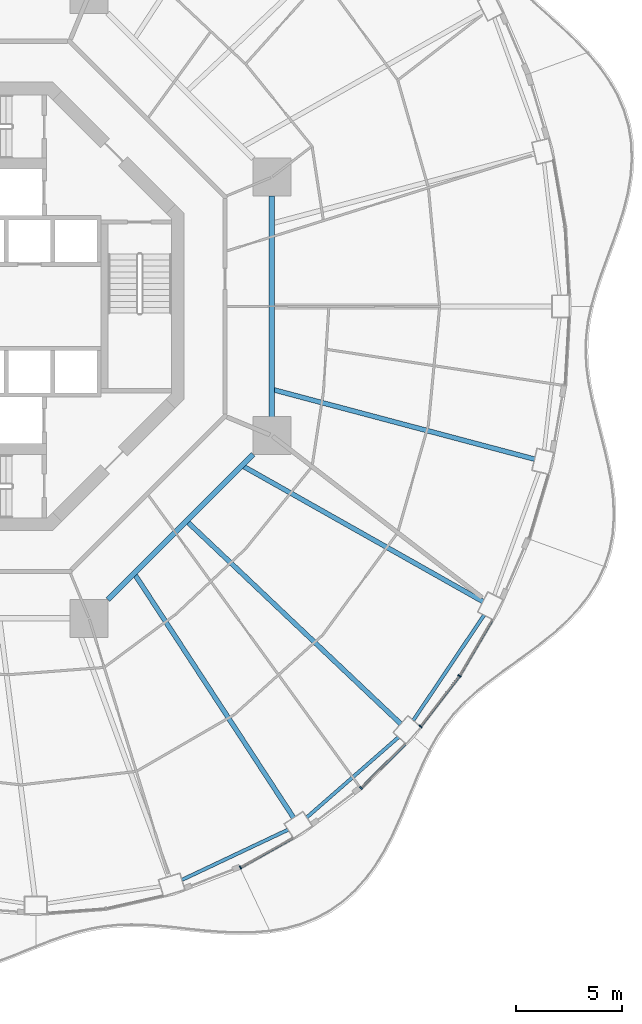
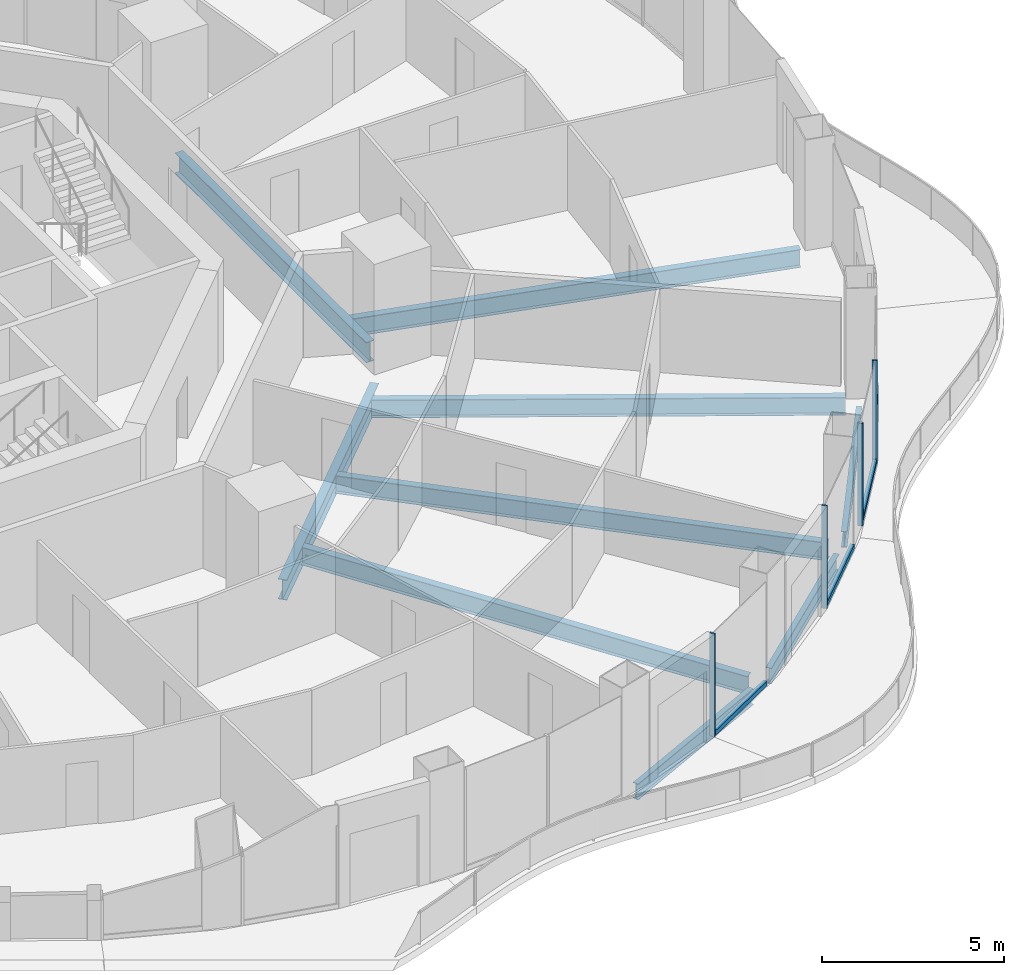
# One storey, part 4 of 19: 9 beams, 8 members, 4 elements without a shape of their own.
"""IFC4 building model written with IfcOpenShell, lengths in metres."""

from ifc_helpers import new_model, si_unit, direction, frame, origin, origin_2d, place, context, subcontext, project, spatial, rectangle, i_section, extrude, material, layer, layer_set, material_profile, profile_set, type_object, element, aggregate, save


model = new_model("IFC4")

# Units and contexts
model_context = context("Model", 3, precision=1e-05, world=origin(), true_north=direction((0.0, 1.0)))
body_context = subcontext(model_context, "Body", "Model", "MODEL_VIEW")
ifc_project = project(units=[si_unit("LENGTHUNIT", "METRE"), si_unit("AREAUNIT", "SQUARE_METRE"), si_unit("VOLUMEUNIT", "CUBIC_METRE"), si_unit("PLANEANGLEUNIT", "RADIAN"), si_unit("MASSUNIT", "GRAM", prefix="KILO")], contexts=[model_context])

# Site, building, storey
site_placement = place(None, origin())
site = spatial("IfcSite", under=ifc_project, at=site_placement, CompositionType="ELEMENT")
building_placement = place(site_placement, origin())
building = spatial("IfcBuilding", under=site, at=building_placement, Name="Nagisa Residences", CompositionType="ELEMENT")
storey_placement = place(building_placement, frame((0.0, 0.0, 169.60009765625)))
storey = spatial("IfcBuildingStorey", under=building, at=storey_placement, Name="L42", CompositionType="ELEMENT", Elevation=169.60009765625)

# Curtain wall, member
ifc_material_1 = material(Name="Concrete-coloured aluminium curtain wall system", Category="concrete")
ifc_layer = layer(ifc_material_1, 0.159912109375)
ifc_layer_set = layer_set([ifc_layer], Name="CW1 CURTAIN WALL")
curtain_wall_type = type_object("IfcCurtainWallType", Name="CW1 CURTAIN WALL", PredefinedType="NOTDEFINED", material=ifc_layer_set)
curtain_wall_1_placement = place(storey_placement, origin())
curtain_wall_1 = element("IfcCurtainWall", 1, at=curtain_wall_1_placement, inside=storey, type_object=curtain_wall_type, Name="cw:CW1:L42:39", PredefinedType="NOTDEFINED")
ifc_material_2 = material(Name="Concrete-coloured aluminium", Category="concrete")
ifc_material_profile_1 = material_profile(ifc_material_2, rectangle(XDim=0.159912109375, YDim=0.06005859375, at=origin_2d()), Name="CW1 MULLION 160x60")
ifc_profile_set_1 = profile_set([ifc_material_profile_1], Name="Concrete-coloured aluminium")
member_type_1 = type_object("IfcMemberType", Name="CW1 MULLION 160x60", PredefinedType="MULLION", material=ifc_profile_set_1)
member_1_placement = place(storey_placement, frame((13.297607421875, -26.592529296875, 0.0), z_axis=(0.0, 0.0, 1.0), x_axis=(-0.489376918501, 0.872072377523, 0.0)))
member_1 = element("IfcMember", 2, at=member_1_placement, type_object=member_type_1, Name="CW1 mullion", PredefinedType="MULLION", context=body_context, shape_type="SweptSolid", body=[
    extrude(rectangle(XDim=0.159912109375, YDim=0.06005859375, at=origin_2d()), origin(), (0.0, 0.0, 1.0), 3.43994140625),
])

curtain_wall_2_placement = place(storey_placement, origin())
curtain_wall_2 = element("IfcCurtainWall", 3, at=curtain_wall_2_placement, inside=storey, type_object=curtain_wall_type, Name="cw:CW1:L42:41", PredefinedType="NOTDEFINED")
member_2_placement = place(storey_placement, frame((19.011962890625, -22.830322265625, 0.0), z_axis=(0.0, 0.0, 1.0), x_axis=(-0.706376885714, 0.707835924016, 0.0)))
member_2 = element("IfcMember", 4, at=member_2_placement, type_object=member_type_1, Name="CW1 mullion", PredefinedType="MULLION", context=body_context, shape_type="SweptSolid", body=[
    extrude(rectangle(XDim=0.159912109375, YDim=0.06005859375, at=origin_2d()), origin(), (0.0, 0.0, 1.0), 3.43994140625),
])

curtain_wall_3_placement = place(storey_placement, origin())
curtain_wall_3 = element("IfcCurtainWall", 5, at=curtain_wall_3_placement, inside=storey, type_object=curtain_wall_type, Name="cw:CW1:L42:42", PredefinedType="NOTDEFINED")
member_3_placement = place(storey_placement, frame((21.83349609375, -19.909423828125, 0.0), z_axis=(0.0, 0.0, 1.0), x_axis=(-0.792070340816, 0.610429828235, 0.0)))
member_3 = element("IfcMember", 6, at=member_3_placement, type_object=member_type_1, Name="CW1 mullion", PredefinedType="MULLION", context=body_context, shape_type="SweptSolid", body=[
    extrude(rectangle(XDim=0.159912109375, YDim=0.06005859375, at=origin_2d()), origin(), (0.0, 0.0, 1.0), 3.43994140625),
])

curtain_wall_4_placement = place(storey_placement, origin())
curtain_wall_4 = element("IfcCurtainWall", 7, at=curtain_wall_4_placement, inside=storey, type_object=curtain_wall_type, Name="cw:CW1:L42:43", PredefinedType="NOTDEFINED")
member_4_placement = place(storey_placement, frame((23.677490234375, -17.51171875, 0.0), z_axis=(0.0, 0.0, 1.0), x_axis=(-0.862328898214, 0.506348567002, 0.0)))
member_4 = element("IfcMember", 8, at=member_4_placement, type_object=member_type_1, Name="CW1 mullion", PredefinedType="MULLION", context=body_context, shape_type="SweptSolid", body=[
    extrude(rectangle(XDim=0.159912109375, YDim=0.06005859375, at=origin_2d()), origin(), (0.0, 0.0, 1.0), 3.43994140625),
])

# Member
ifc_material_3 = material(Name="Concrete-coloured aluminium", Category="concrete")
ifc_material_profile_2 = material_profile(ifc_material_3, rectangle(XDim=0.1201171875, YDim=0.14990234375, at=origin_2d()), Name="CW1 TRANSOM 120x150")
ifc_profile_set_2 = profile_set([ifc_material_profile_2], Name="Concrete-coloured aluminium")
member_type_2 = type_object("IfcMemberType", Name="CW1 TRANSOM 120x150", PredefinedType="USERDEFINED", material=ifc_profile_set_2)
member_5_placement = place(storey_placement, frame((13.271484375, -26.607177734375, 0.074951171875), z_axis=(0.872078262455, 0.489366431371, 0.0), x_axis=(-0.489366431371, 0.872078262455, 0.0)))
member_5 = element("IfcMember", 9, at=member_5_placement, type_object=member_type_2, Name="CW1 transom", ObjectType="TRANSOM", PredefinedType="USERDEFINED", context=body_context, shape_type="SweptSolid", body=[
    extrude(rectangle(XDim=0.1201171875, YDim=0.14990234375, at=origin_2d()), origin(), (0.0, 0.0, 1.0), 2.863525390625),
])

aggregate(curtain_wall_1, [member_1, member_5])

member_6_placement = place(storey_placement, frame((18.99072265625, -22.8515625, 0.074951171875), z_axis=(0.707803821372, 0.706409053206, 0.0), x_axis=(-0.706409053206, 0.707803821372, 0.0)))
member_6 = element("IfcMember", 10, at=member_6_placement, type_object=member_type_2, Name="CW1 transom", ObjectType="TRANSOM", PredefinedType="USERDEFINED", context=body_context, shape_type="SweptSolid", body=[
    extrude(rectangle(XDim=0.1201171875, YDim=0.14990234375, at=origin_2d()), origin(), (0.0, 0.0, 1.0), 2.9755859375),
])

aggregate(curtain_wall_2, [member_2, member_6])

member_7_placement = place(storey_placement, frame((21.815185546875, -19.933349609375, 0.074951171875), z_axis=(0.610398538814, 0.792094453846, 0.0), x_axis=(-0.792094453846, 0.610398538814, 0.0)))
member_7 = element("IfcMember", 11, at=member_7_placement, type_object=member_type_2, Name="CW1 transom", ObjectType="TRANSOM", PredefinedType="USERDEFINED", context=body_context, shape_type="SweptSolid", body=[
    extrude(rectangle(XDim=0.1201171875, YDim=0.14990234375, at=origin_2d()), origin(), (0.0, 0.0, 1.0), 3.035400390625),
])

aggregate(curtain_wall_3, [member_3, member_7])

member_8_placement = place(storey_placement, frame((23.662353515625, -17.53759765625, 0.074951171875), z_axis=(0.506367803691, 0.862317602386, 0.0), x_axis=(-0.862317602386, 0.506367803691, 0.0)))
member_8 = element("IfcMember", 12, at=member_8_placement, type_object=member_type_2, Name="CW1 transom", ObjectType="TRANSOM", PredefinedType="USERDEFINED", context=body_context, shape_type="SweptSolid", body=[
    extrude(rectangle(XDim=0.1201171875, YDim=0.14990234375, at=origin_2d()), origin(), (0.0, 0.0, 1.0), 3.092041015625),
])

aggregate(curtain_wall_4, [member_4, member_8])

# Beams
ifc_material_4 = material(Name="Steel ASTM A572 Gr 50", Category="steel")
ifc_material_profile_3 = material_profile(ifc_material_4, i_section(OverallWidth=0.25390625, OverallDepth=0.68408203125, WebThickness=0.012451171875, FlangeThickness=0.018798828125, at=origin_2d()), Name="W690x140")
ifc_profile_set_3 = profile_set([ifc_material_profile_3], Name="Steel ASTM A572 Gr 50")
beam_type_1 = type_object("IfcBeamType", Name="Inner ring beam W690x140", PredefinedType="BEAM", material=ifc_profile_set_3)
beam_1_placement = place(storey_placement, frame((7.0087890625, -13.896240234375, -0.60205078125), z_axis=(0.707106781187, 0.707106781187, 0.0), x_axis=(-0.707106781187, 0.707106781187, 0.0)))
element("IfcBeam", 13, at=beam_1_placement, inside=storey, type_object=beam_type_1, Name="beam:L42:ib7", PredefinedType="BEAM", context=body_context, shape_type="SweptSolid", body=[
    extrude(i_section(OverallWidth=0.25390625, OverallDepth=0.68408203125, WebThickness=0.012451171875, FlangeThickness=0.018798828125, at=origin_2d()), origin(), (0.0, 0.0, 1.0), 9.740234375),
])
beam_2_placement = place(storey_placement, frame((14.781982421875, -5.242919921875, -0.60205078125), z_axis=(0.0, 1.0, 0.0), x_axis=(-1.0, 0.0, 0.0)))
element("IfcBeam", 14, at=beam_2_placement, inside=storey, type_object=beam_type_1, Name="beam:L42:ib8", PredefinedType="BEAM", context=body_context, shape_type="SweptSolid", body=[
    extrude(i_section(OverallWidth=0.25390625, OverallDepth=0.68408203125, WebThickness=0.012451171875, FlangeThickness=0.018798828125, at=origin_2d()), origin(), (0.0, 0.0, 1.0), 10.48583984375),
])
ifc_material_5 = material(Name="Steel ASTM A572 Gr 50", Category="steel")
ifc_material_profile_4 = material_profile(ifc_material_5, i_section(OverallWidth=0.166015625, OverallDepth=0.534912109375, WebThickness=0.01025390625, FlangeThickness=0.0166015625, at=origin_2d()), Name="W530x85")
ifc_profile_set_4 = profile_set([ifc_material_profile_4], Name="Steel ASTM A572 Gr 50")
beam_type_2 = type_object("IfcBeamType", Name="Perimeter ring beam W530x85", PredefinedType="BEAM", material=ifc_profile_set_4)
beam_3_placement = place(storey_placement, frame((10.522705078125, -27.17919921875, -0.527587890625), z_axis=(0.904157325884, 0.427199637232, 0.0), x_axis=(-0.427199637232, 0.904157325884, 0.0)))
element("IfcBeam", 15, at=beam_3_placement, inside=storey, type_object=beam_type_2, Name="beam:L42:pb20", PredefinedType="BEAM", context=body_context, shape_type="SweptSolid", body=[
    extrude(i_section(OverallWidth=0.166015625, OverallDepth=0.534912109375, WebThickness=0.01025390625, FlangeThickness=0.0166015625, at=origin_2d()), origin(), (0.0, 0.0, 1.0), 5.56396484375),
])
beam_4_placement = place(storey_placement, frame((16.440185546875, -24.220947265625, -0.527587890625), z_axis=(0.752461486776, 0.658636250838, 0.0), x_axis=(-0.658636250838, 0.752461486776, 0.0)))
element("IfcBeam", 16, at=beam_4_placement, inside=storey, type_object=beam_type_2, Name="beam:L42:pb21", PredefinedType="BEAM", context=body_context, shape_type="SweptSolid", body=[
    extrude(i_section(OverallWidth=0.166015625, OverallDepth=0.534912109375, WebThickness=0.01025390625, FlangeThickness=0.0166015625, at=origin_2d()), origin(), (0.0, 0.0, 1.0), 5.776611328125),
])
beam_5_placement = place(storey_placement, frame((21.487548828125, -19.62060546875, -0.527587890625), z_axis=(0.558152301307, 0.829738518177, 0.0), x_axis=(-0.829738518177, 0.558152301307, 0.0)))
element("IfcBeam", 17, at=beam_5_placement, inside=storey, type_object=beam_type_2, Name="beam:L42:pb22", PredefinedType="BEAM", context=body_context, shape_type="SweptSolid", body=[
    extrude(i_section(OverallWidth=0.166015625, OverallDepth=0.534912109375, WebThickness=0.01025390625, FlangeThickness=0.0166015625, at=origin_2d()), origin(), (0.0, 0.0, 1.0), 6.013916015625),
])
ifc_material_6 = material(Name="Steel ASTM A572 Gr 50", Category="steel")
ifc_material_profile_5 = material_profile(ifc_material_6, i_section(OverallWidth=0.22802734375, OverallDepth=0.60302734375, WebThickness=0.010498046875, FlangeThickness=0.014892578125, at=origin_2d()), Name="W610x101")
ifc_profile_set_5 = profile_set([ifc_material_profile_5], Name="Steel ASTM A572 Gr 50")
beam_type_3 = type_object("IfcBeamType", Name="Radial beam W610x101", PredefinedType="BEAM", material=ifc_profile_set_5)
beam_6_placement = place(storey_placement, frame((15.816162109375, -24.234375, -0.5615234375), z_axis=(-0.546541244511, 0.837432187135, 0.0), x_axis=(-0.837432187135, -0.546541244511, 0.0)))
element("IfcBeam", 18, at=beam_6_placement, inside=storey, type_object=beam_type_3, Name="beam:L42:rb21", PredefinedType="BEAM", context=body_context, shape_type="SweptSolid", body=[
    extrude(i_section(OverallWidth=0.22802734375, OverallDepth=0.60302734375, WebThickness=0.010498046875, FlangeThickness=0.014892578125, at=origin_2d()), origin(), (0.0, 0.0, 1.0), 13.72412109375),
])
beam_7_placement = place(storey_placement, frame((20.89501953125, -19.785400390625, -0.5615234375), z_axis=(-0.726119962477, 0.687568033064, 0.0), x_axis=(-0.687568033064, -0.726119962477, 0.0)))
element("IfcBeam", 19, at=beam_7_placement, inside=storey, type_object=beam_type_3, Name="beam:L42:rb22", PredefinedType="BEAM", context=body_context, shape_type="SweptSolid", body=[
    extrude(i_section(OverallWidth=0.22802734375, OverallDepth=0.60302734375, WebThickness=0.010498046875, FlangeThickness=0.014892578125, at=origin_2d()), origin(), (0.0, 0.0, 1.0), 13.88134765625),
])
beam_8_placement = place(storey_placement, frame((24.789306640625, -13.98828125, -0.5615234375), z_axis=(-0.870904520395, 0.491452252366, 0.0), x_axis=(-0.491452252366, -0.870904520395, 0.0)))
element("IfcBeam", 20, at=beam_8_placement, inside=storey, type_object=beam_type_3, Name="beam:L42:rb23", PredefinedType="BEAM", context=body_context, shape_type="SweptSolid", body=[
    extrude(i_section(OverallWidth=0.22802734375, OverallDepth=0.60302734375, WebThickness=0.010498046875, FlangeThickness=0.014892578125, at=origin_2d()), origin(), (0.0, 0.0, 1.0), 13.007080078125),
])
beam_9_placement = place(storey_placement, frame((27.23583984375, -7.239990234375, -0.5615234375), z_axis=(-0.966436061719, 0.256907256826, 0.0), x_axis=(-0.256907256826, -0.966436061719, 0.0)))
element("IfcBeam", 21, at=beam_9_placement, inside=storey, type_object=beam_type_3, Name="beam:L42:rb24", PredefinedType="BEAM", context=body_context, shape_type="SweptSolid", body=[
    extrude(i_section(OverallWidth=0.22802734375, OverallDepth=0.60302734375, WebThickness=0.010498046875, FlangeThickness=0.014892578125, at=origin_2d()), origin(), (0.0, 0.0, 1.0), 12.77490234375),
])

save(model, "model.ifc")
